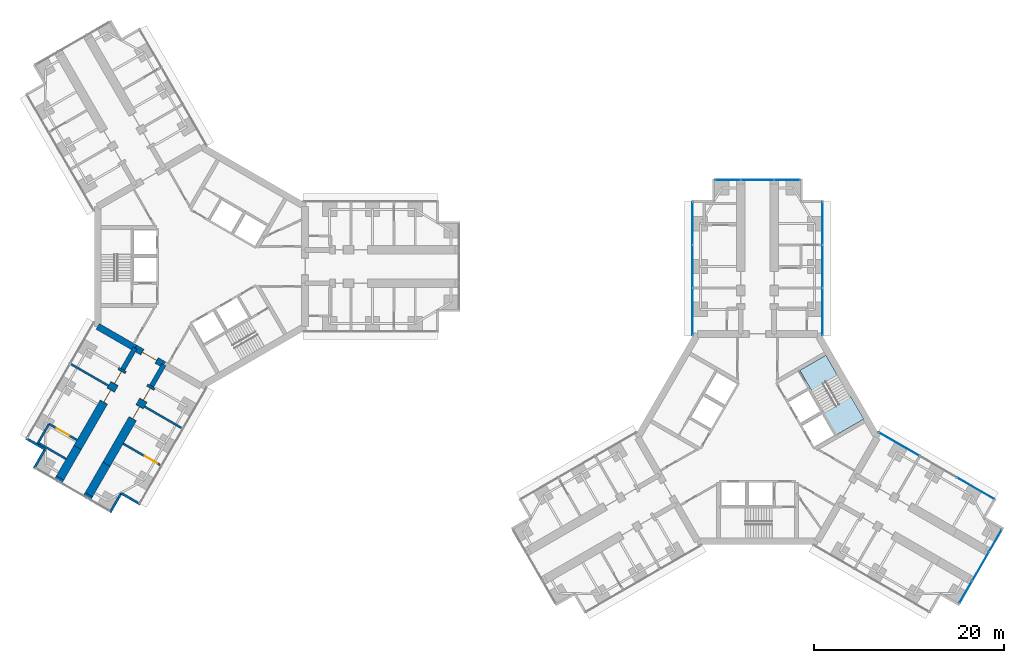
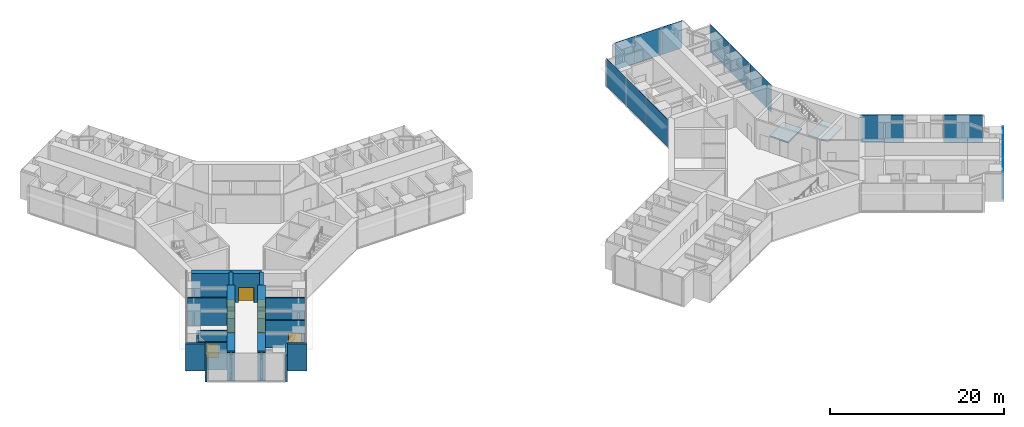
# One storey, part 15 of 22: 20 walls, 14 plates, 7 doors, 2 slabs, 7 openings, 6 elements without a shape of their own.
"""IFC4 building model written with IfcOpenShell, lengths in metres."""

from ifc_helpers import new_model, si_unit, direction, frame, frame_2d, origin, origin_2d, place, context, subcontext, project, spatial, polyline, rectangle, outline, extrude, material, layer, layer_set, type_object, element, fill, aggregate, save


model = new_model("IFC4")

# Units and contexts
model_context = context("Model", 3, precision=1e-05, world=origin(), true_north=direction((0.0, 1.0)))
body_context = subcontext(model_context, "Body", "Model", "MODEL_VIEW")
ifc_project = project(units=[si_unit("LENGTHUNIT", "METRE"), si_unit("AREAUNIT", "SQUARE_METRE"), si_unit("VOLUMEUNIT", "CUBIC_METRE"), si_unit("PLANEANGLEUNIT", "RADIAN"), si_unit("MASSUNIT", "GRAM", prefix="KILO")], contexts=[model_context])

# Site, building, storey
site_placement = place(None, origin())
site = spatial("IfcSite", under=ifc_project, at=site_placement, CompositionType="ELEMENT")
building_placement = place(site_placement, origin())
building = spatial("IfcBuilding", under=site, at=building_placement, Name="Upepo Twin Towers", CompositionType="ELEMENT")
storey_placement = place(building_placement, frame((0.0, 0.0, 40.5)))
storey = spatial("IfcBuildingStorey", under=building, at=storey_placement, Name="L09", CompositionType="ELEMENT", Elevation=40.5)

# Curtain wall, plates
ifc_material_1 = material(Name="Aluminium and fritted glass", Category="aluminium")
curtain_wall_type = type_object("IfcCurtainWallType", Name="Tower curtain wall TW1, fritted glass", PredefinedType="NOTDEFINED", material=ifc_material_1)
curtain_wall_1_placement = place(storey_placement, origin())
curtain_wall_1 = element("IfcCurtainWall", 1, at=curtain_wall_1_placement, inside=storey, type_object=curtain_wall_type, Name="T2 L09 wing A flank L curtain wall", PredefinedType="NOTDEFINED")
ifc_material_2 = material(Name="Ceramic-fritted laminated glass", Category="glass")
ifc_layer_1 = layer(ifc_material_2, 0.031982421875)
ifc_layer_set_1 = layer_set([ifc_layer_1], Name="Fritted glass panel, 20 per cent dot frit, 32 mm double glazed")
plate_type_1 = type_object("IfcPlateType", Name="Fritted glass panel, 20 per cent dot frit, 32 mm double glazed", PredefinedType="CURTAIN_PANEL", material=ifc_layer_set_1)
plate_1_placement = place(storey_placement, frame((51.64990234375, -4.76513671875, 0.14990234375), z_axis=(0.0, 0.0, 1.0), x_axis=(0.0, 1.0, 0.0)))
plate_1 = element("IfcPlate", 2, at=plate_1_placement, type_object=plate_type_1, Name="T2 L09 wing A flank L curtain wall panel 1", PredefinedType="CURTAIN_PANEL", context=body_context, shape_type="SweptSolid", body=[
    extrude(rectangle(XDim=4.96533203125, YDim=0.031982421875, at=origin_2d()), origin(), (0.0, 0.0, 1.0), 3.85009765625),
])
plate_2_placement = place(storey_placement, frame((51.64990234375, 0.0, 0.14990234375), z_axis=(0.0, 0.0, 1.0), x_axis=(0.0, 1.0, 0.0)))
plate_2 = element("IfcPlate", 3, at=plate_2_placement, type_object=plate_type_1, Name="T2 L09 wing A flank L curtain wall panel 2", PredefinedType="CURTAIN_PANEL", context=body_context, shape_type="SweptSolid", body=[
    extrude(rectangle(XDim=4.43505859375, YDim=0.031982421875, at=origin_2d()), origin(), (0.0, 0.0, 1.0), 3.85009765625),
])
plate_3_placement = place(storey_placement, frame((51.64990234375, 4.53369140625, 0.14990234375), z_axis=(0.0, 0.0, 1.0), x_axis=(0.0, 1.0, 0.0)))
plate_3 = element("IfcPlate", 4, at=plate_3_placement, type_object=plate_type_1, Name="T2 L09 wing A flank L curtain wall panel 3", PredefinedType="CURTAIN_PANEL", context=body_context, shape_type="SweptSolid", body=[
    extrude(rectangle(XDim=4.50244140625, YDim=0.031982421875, at=origin_2d()), origin(), (0.0, 0.0, 1.0), 3.85009765625),
])
aggregate(curtain_wall_1, [plate_1, plate_2, plate_3])

curtain_wall_2_placement = place(storey_placement, origin())
curtain_wall_2 = element("IfcCurtainWall", 5, at=curtain_wall_2_placement, inside=storey, type_object=curtain_wall_type, Name="T2 L09 wing A flank R curtain wall", PredefinedType="NOTDEFINED")
plate_4_placement = place(storey_placement, frame((65.35009765625, 4.53369140625, 0.14990234375), z_axis=(0.0, 0.0, 1.0), x_axis=(0.0, -1.0, 0.0)))
plate_4 = element("IfcPlate", 6, at=plate_4_placement, type_object=plate_type_1, Name="T2 L09 wing A flank R curtain wall panel 1", PredefinedType="CURTAIN_PANEL", context=body_context, shape_type="SweptSolid", body=[
    extrude(rectangle(XDim=4.50244140625, YDim=0.031982421875, at=origin_2d()), origin(), (0.0, 0.0, 1.0), 3.85009765625),
])
plate_5_placement = place(storey_placement, frame((65.35009765625, 0.0, 0.14990234375), z_axis=(0.0, 0.0, 1.0), x_axis=(0.0, -1.0, 0.0)))
plate_5 = element("IfcPlate", 7, at=plate_5_placement, type_object=plate_type_1, Name="T2 L09 wing A flank R curtain wall panel 2", PredefinedType="CURTAIN_PANEL", context=body_context, shape_type="SweptSolid", body=[
    extrude(rectangle(XDim=4.43505859375, YDim=0.031982421875, at=origin_2d()), origin(), (0.0, 0.0, 1.0), 3.85009765625),
])
plate_6_placement = place(storey_placement, frame((65.35009765625, -4.76513671875, 0.14990234375), z_axis=(0.0, 0.0, 1.0), x_axis=(0.0, -1.0, 0.0)))
plate_6 = element("IfcPlate", 8, at=plate_6_placement, type_object=plate_type_1, Name="T2 L09 wing A flank R curtain wall panel 3", PredefinedType="CURTAIN_PANEL", context=body_context, shape_type="SweptSolid", body=[
    extrude(rectangle(XDim=4.96533203125, YDim=0.031982421875, at=origin_2d()), origin(), (0.0, 0.0, 1.0), 3.85009765625),
])
aggregate(curtain_wall_2, [plate_4, plate_5, plate_6])

# Curtain wall, plate
curtain_wall_3_placement = place(storey_placement, origin())
curtain_wall_3 = element("IfcCurtainWall", 9, at=curtain_wall_3_placement, inside=storey, type_object=curtain_wall_type, Name="T2 L09 wing A nose curtain wall", PredefinedType="NOTDEFINED")
plate_7_placement = place(storey_placement, frame((58.5, 9.10009765625, 0.14990234375), z_axis=(0.0, 0.0, 1.0), x_axis=(-1.0, 0.0, 0.0)))
plate_7 = element("IfcPlate", 10, at=plate_7_placement, type_object=plate_type_1, Name="T2 L09 wing A nose curtain wall panel 2", PredefinedType="CURTAIN_PANEL", context=body_context, shape_type="SweptSolid", body=[
    extrude(rectangle(XDim=3.43505859375, YDim=0.031982421875, at=origin_2d()), origin(), (0.0, 0.0, 1.0), 3.85009765625),
])

# Curtain wall, plates
curtain_wall_4_placement = place(storey_placement, origin())
curtain_wall_4 = element("IfcCurtainWall", 11, at=curtain_wall_4_placement, inside=storey, type_object=curtain_wall_type, Name="T2 L09 wing C flank L curtain wall", PredefinedType="NOTDEFINED")
plate_8_placement = place(storey_placement, frame((73.38671875, -18.68505859375, 0.14990234375), z_axis=(0.0, 0.0, 1.0), x_axis=(0.866025389682, -0.500000024426, 0.0)))
plate_8 = element("IfcPlate", 12, at=plate_8_placement, type_object=plate_type_1, Name="T2 L09 wing C flank L curtain wall panel 1", PredefinedType="CURTAIN_PANEL", context=body_context, shape_type="SweptSolid", body=[
    extrude(rectangle(XDim=4.96533203125, YDim=0.031982421875, at=origin_2d()), origin(), (0.0, 0.0, 1.0), 3.85009765625),
])
plate_9_placement = place(storey_placement, frame((81.439697265625, -23.334716796875, 0.14990234375), z_axis=(0.0, 0.0, 1.0), x_axis=(0.866025389682, -0.500000024426, 0.0)))
plate_9 = element("IfcPlate", 13, at=plate_9_placement, type_object=plate_type_1, Name="T2 L09 wing C flank L curtain wall panel 3", PredefinedType="CURTAIN_PANEL", context=body_context, shape_type="SweptSolid", body=[
    extrude(rectangle(XDim=4.50244140625, YDim=0.031982421875, at=origin_2d()), origin(), (0.0, 0.0, 1.0), 3.85009765625),
])
aggregate(curtain_wall_4, [plate_8, plate_9])

# Curtain wall, plate
curtain_wall_5_placement = place(storey_placement, origin())
curtain_wall_5 = element("IfcCurtainWall", 14, at=curtain_wall_5_placement, inside=storey, type_object=curtain_wall_type, Name="T2 L09 wing C nose curtain wall", PredefinedType="NOTDEFINED")
plate_10_placement = place(storey_placement, frame((81.96923828125, -31.550048828125, 0.14990234375), z_axis=(0.0, 0.0, 1.0), x_axis=(0.500000030502, 0.866025386174, 0.0)))
plate_10 = element("IfcPlate", 15, at=plate_10_placement, type_object=plate_type_1, Name="T2 L09 wing C nose curtain wall panel 2", PredefinedType="CURTAIN_PANEL", context=body_context, shape_type="SweptSolid", body=[
    extrude(rectangle(XDim=3.43505859375, YDim=0.031982421875, at=origin_2d()), origin(), (0.0, 0.0, 1.0), 3.85009765625),
])

# Plate
ifc_material_3 = material(Name="Clear laminated glass in opening sash", Category="glass")
ifc_layer_2 = layer(ifc_material_3, 0.031982421875)
ifc_layer_set_2 = layer_set([ifc_layer_2], Name="Operable glass panel, 32 mm double glazed")
plate_type_2 = type_object("IfcPlateType", Name="Operable glass panel, 32 mm double glazed", PredefinedType="CURTAIN_PANEL", material=ifc_layer_set_2)
plate_11_placement = place(storey_placement, frame((61.608642578125, 9.10009765625, 0.14990234375), z_axis=(0.0, 0.0, 1.0), x_axis=(-1.0, 0.0, 0.0)))
plate_11 = element("IfcPlate", 16, at=plate_11_placement, type_object=plate_type_2, Name="T2 L09 wing A nose curtain wall panel 1", PredefinedType="CURTAIN_PANEL", context=body_context, shape_type="SweptSolid", body=[
    extrude(rectangle(XDim=2.652587890625, YDim=0.031982421875, at=origin_2d()), origin(), (0.0, 0.0, 1.0), 3.85009765625),
])

plate_12_placement = place(storey_placement, frame((55.391357421875, 9.10009765625, 0.14990234375), z_axis=(0.0, 0.0, 1.0), x_axis=(-1.0, 0.0, 0.0)))
plate_12 = element("IfcPlate", 17, at=plate_12_placement, type_object=plate_type_2, Name="T2 L09 wing A nose curtain wall panel 3", PredefinedType="CURTAIN_PANEL", context=body_context, shape_type="SweptSolid", body=[
    extrude(rectangle(XDim=2.652587890625, YDim=0.031982421875, at=origin_2d()), origin(), (0.0, 0.0, 1.0), 3.85009765625),
])

aggregate(curtain_wall_3, [plate_11, plate_7, plate_12])

plate_13_placement = place(storey_placement, frame((80.414794921875, -34.2421875, 0.14990234375), z_axis=(0.0, 0.0, 1.0), x_axis=(0.500000030502, 0.866025386174, 0.0)))
plate_13 = element("IfcPlate", 18, at=plate_13_placement, type_object=plate_type_2, Name="T2 L09 wing C nose curtain wall panel 1", PredefinedType="CURTAIN_PANEL", context=body_context, shape_type="SweptSolid", body=[
    extrude(rectangle(XDim=2.652587890625, YDim=0.031982421875, at=origin_2d()), origin(), (0.0, 0.0, 1.0), 3.85009765625),
])

plate_14_placement = place(storey_placement, frame((83.523681640625, -28.857666015625, 0.14990234375), z_axis=(0.0, 0.0, 1.0), x_axis=(0.500000030502, 0.866025386174, 0.0)))
plate_14 = element("IfcPlate", 19, at=plate_14_placement, type_object=plate_type_2, Name="T2 L09 wing C nose curtain wall panel 3", PredefinedType="CURTAIN_PANEL", context=body_context, shape_type="SweptSolid", body=[
    extrude(rectangle(XDim=2.652587890625, YDim=0.031982421875, at=origin_2d()), origin(), (0.0, 0.0, 1.0), 3.85009765625),
])

aggregate(curtain_wall_5, [plate_13, plate_10, plate_14])

# Stair, slabs
ifc_material_4 = material(Name="Concrete C40/50", Category="concrete")
stair_type = type_object("IfcStairType", Name="Core stair, two flights", PredefinedType="HALF_TURN_STAIR", material=ifc_material_4)
stair_placement = place(storey_placement, origin())
stair = element("IfcStair", 20, at=stair_placement, inside=storey, type_object=stair_type, Name="T2 stair S2 L09", PredefinedType="HALF_TURN_STAIR")
ifc_material_5 = material(Name="Concrete C40/50", Category="concrete")
ifc_layer_3 = layer(ifc_material_5, 0.199951171875)
ifc_layer_set_3 = layer_set([ifc_layer_3], Name="Concrete C40/50")
slab_type = type_object("IfcSlabType", Name="Stair landing 200 RC", PredefinedType="LANDING", material=ifc_layer_set_3)
slab_1_placement = place(storey_placement, frame((0.0, 0.0, -0.199951171875)))
slab_1 = element("IfcSlab", 21, at=slab_1_placement, type_object=slab_type, Name="Stair S2 landing 1", PredefinedType="LANDING", context=body_context, shape_type="SweptSolid", body=[
    extrude(outline(polyline([(64.198486328125, -13.0703125), (66.933837890625, -11.490966796875), (65.69384765625, -9.34326171875), (62.95849609375, -10.922607421875), (64.198486328125, -13.0703125)])), origin(), (0.0, 0.0, 1.0), 0.199951171875),
])
slab_2_placement = place(storey_placement, frame((0.0, 0.0, 1.800048828125)))
slab_2 = element("IfcSlab", 22, at=slab_2_placement, type_object=slab_type, Name="Stair S2 landing 2", PredefinedType="LANDING", context=body_context, shape_type="SweptSolid", body=[
    extrude(outline(polyline([(66.77197265625, -17.7275390625), (69.680419921875, -16.04833984375), (68.3203125, -13.692626953125), (65.411865234375, -15.371826171875), (66.77197265625, -17.7275390625)])), origin(), (0.0, 0.0, 1.0), 0.199951171875),
])
aggregate(stair, [slab_1, slab_2])

# Wall
ifc_material_6 = material(Name="Concrete blockwork, plastered both faces", Category="masonry")
ifc_layer_4 = layer(ifc_material_6, 0.215087890625)
ifc_layer_set_4 = layer_set([ifc_layer_4], Name="Blockwork partition 215")
wall_type_1 = type_object("IfcWallType", Name="Blockwork partition 215", PredefinedType="PARTITIONING", material=ifc_layer_set_4)
wall_1_placement = place(storey_placement, frame((-5.9697265625, -14.739990234375, 0.0), z_axis=(0.0, 0.0, 1.0), x_axis=(0.866035472144, -0.499982560684, 0.0)))
element("IfcWall", 23, at=wall_1_placement, inside=storey, type_object=wall_type_1, Name="T1 partition CL at 15.75", PredefinedType="PARTITIONING", context=body_context, shape_type="SweptSolid", body=[
    extrude(rectangle(XDim=4.550048828125, YDim=0.215087890625, at=frame_2d((2.27490234375, 0.0))), origin(), (0.0, 0.0, 1.0), 3.800048828125),
])

# Wall, opening, door
wall_2_placement = place(storey_placement, frame((-8.2197265625, -18.636962890625, 0.0), z_axis=(0.0, 0.0, 1.0), x_axis=(0.866012237902, -0.500022803284, 0.0)))
wall_2 = element("IfcWall", 24, at=wall_2_placement, inside=storey, type_object=wall_type_1, Name="T1 partition CL at 20.25", PredefinedType="PARTITIONING", context=body_context, shape_type="SweptSolid", body=[
    extrude(rectangle(XDim=4.550048828125, YDim=0.215087890625, at=frame_2d((2.27490234375, 0.0))), origin(), (0.0, 0.0, 1.0), 3.800048828125),
])
opening_1_placement = place(wall_2_placement, frame((2.64990234375, 0.0, 0.0)))
opening_1 = element("IfcOpeningElement", 25, at=opening_1_placement, cuts=wall_2, Name="Opening D13", PredefinedType="OPENING", context=body_context, shape_type="SweptSolid", body=[
    extrude(rectangle(XDim=1.5, YDim=2.10009765625, at=frame_2d((0.75, 1.050048828125))), frame((0.0, 0.117431640625, 0.0), z_axis=(0.0, -1.0, 0.0), x_axis=(1.0, 0.0, 0.0)), (0.0, 0.0, 1.0), 0.235107421875),
])
ifc_material_7 = material(Name="Timber doorset", Category="wood")
door_type_1 = type_object("IfcDoorType", Name="Double door 1500 FD30", OperationType="DOUBLE_DOOR_SINGLE_SWING", PredefinedType="DOOR", material=ifc_material_7)
door_1_placement = place(opening_1_placement, origin())
door_1 = element("IfcDoor", 26, at=door_1_placement, inside=storey, type_object=door_type_1, Name="T1 L09 connecting door", OperationType="DOUBLE_DOOR_SINGLE_SWING", OverallHeight=2.10009765625, OverallWidth=1.5, PredefinedType="DOOR", context=body_context, shape_type="SweptSolid", body=[
    extrude(rectangle(XDim=1.5, YDim=2.10009765625, at=frame_2d((0.75, 1.050048828125))), frame((0.0, 0.02490234375, 0.0), z_axis=(0.0, -1.0, 0.0), x_axis=(1.0, 0.0, 0.0)), (0.0, 0.0, 1.0), 0.050048828125),
])
fill(opening_1, door_1)

# Walls
wall_3_placement = place(storey_placement, frame((-9.7802734375, -12.539794921875, 0.0), z_axis=(0.0, 0.0, 1.0), x_axis=(-0.866035472144, 0.499982560684, 0.0)))
element("IfcWall", 27, at=wall_3_placement, inside=storey, type_object=wall_type_1, Name="T1 partition CR at 15.75", PredefinedType="PARTITIONING", context=body_context, shape_type="SweptSolid", body=[
    extrude(rectangle(XDim=4.550048828125, YDim=0.215087890625, at=frame_2d((2.27490234375, 0.0))), origin(), (0.0, 0.0, 1.0), 3.800048828125),
])
wall_4_placement = place(storey_placement, frame((-16.024658203125, -16.5556640625, 0.0), z_axis=(0.0, 0.0, 1.0), x_axis=(-0.500077600433, -0.865980596518, 0.0)))
element("IfcWall", 28, at=wall_4_placement, inside=storey, type_object=wall_type_1, Name="T1 inner room partition CR at 22.35", PredefinedType="PARTITIONING", context=body_context, shape_type="SweptSolid", body=[
    extrude(rectangle(XDim=2.39990234375, YDim=0.215087890625, at=frame_2d((1.199951171875, 0.0))), origin(), (0.0, 0.0, 1.0), 3.800048828125),
])

# Wall, opening, door
wall_5_placement = place(storey_placement, frame((-13.080322265625, -18.255615234375, 0.0), z_axis=(0.0, 0.0, 1.0), x_axis=(-0.866020560687, 0.500008388397, 0.0)))
wall_5 = element("IfcWall", 29, at=wall_5_placement, inside=storey, type_object=wall_type_1, Name="T1 inner room partition CR end at 22.35", PredefinedType="PARTITIONING", context=body_context, shape_type="SweptSolid", body=[
    extrude(rectangle(XDim=3.39990234375, YDim=0.215087890625, at=frame_2d((1.699951171875, 0.0))), origin(), (0.0, 0.0, 1.0), 3.800048828125),
])
opening_2_placement = place(wall_5_placement, frame((0.949951171875, 0.0, 0.0)))
opening_2 = element("IfcOpeningElement", 30, at=opening_2_placement, cuts=wall_5, Name="Opening D13", PredefinedType="OPENING", context=body_context, shape_type="SweptSolid", body=[
    extrude(rectangle(XDim=1.5, YDim=2.10009765625, at=frame_2d((0.75, 1.050048828125))), frame((0.0, 0.117431640625, 0.0), z_axis=(0.0, -1.0, 0.0), x_axis=(1.0, 0.0, 0.0)), (0.0, 0.0, 1.0), 0.235107421875),
])
door_2_placement = place(opening_2_placement, origin())
door_2 = element("IfcDoor", 31, at=door_2_placement, inside=storey, type_object=door_type_1, Name="T1 L09 inner room door", OperationType="DOUBLE_DOOR_SINGLE_SWING", OverallHeight=2.10009765625, OverallWidth=1.5, PredefinedType="DOOR", context=body_context, shape_type="SweptSolid", body=[
    extrude(rectangle(XDim=1.5, YDim=2.10009765625, at=frame_2d((0.75, 1.050048828125))), frame((0.0, 0.02490234375, 0.0), z_axis=(0.0, -1.0, 0.0), x_axis=(1.0, 0.0, 0.0)), (0.0, 0.0, 1.0), 0.050048828125),
])
fill(opening_2, door_2)

# Walls
wall_6_placement = place(storey_placement, frame((-14.2265625, -20.240966796875, 0.0), z_axis=(0.0, 0.0, 1.0), x_axis=(-0.866020560687, 0.500008388397, 0.0)))
element("IfcWall", 32, at=wall_6_placement, inside=storey, type_object=wall_type_1, Name="T1 inner room partition CR end at 24.75", PredefinedType="PARTITIONING", context=body_context, shape_type="SweptSolid", body=[
    extrude(rectangle(XDim=3.39990234375, YDim=0.215087890625, at=frame_2d((1.699951171875, 0.0))), origin(), (0.0, 0.0, 1.0), 3.800048828125),
])
ifc_material_8 = material(Name="Dense concrete blockwork", Category="masonry")
ifc_layer_5 = layer(ifc_material_8, 0.89990234375)
ifc_layer_set_5 = layer_set([ifc_layer_5], Name="Buttress closer 900, blockwork with fire-stopping to the curtain wall")
wall_type_2 = type_object("IfcWallType", Name="Buttress closer 900, blockwork with fire-stopping to the curtain wall", PredefinedType="PARTITIONING", material=ifc_layer_set_5)
for number, where, z_axis, x_axis, name in (
    (33, (-11.83447265625, -23.997802734375, 0.0), (0.0, 0.0, 1.0), (-0.499949632511, -0.866054481515, 0.0), "T1 L09 wing C buttress closer L"),
    (34, (-14.865478515625, -22.247802734375, 0.0), (0.0, 0.0, 1.0), (-0.499949632511, -0.866054481515, 0.0), "T1 L09 wing C buttress closer R"),
):
    element("IfcWall", number, at=place(storey_placement, frame(where, z_axis=z_axis, x_axis=x_axis)), inside=storey, type_object=wall_type_2, Name=name, PredefinedType="PARTITIONING", context=body_context, shape_type="SweptSolid", body=[
        extrude(rectangle(XDim=0.31005859375, YDim=0.89990234375, at=frame_2d((0.155029296875, 0.0))), origin(), (0.0, 0.0, 1.0), 3.800048828125),
    ])
ifc_material_9 = material(Name="Concrete C60/75", Category="concrete")
ifc_layer_6 = layer(ifc_material_9, 0.5)
ifc_layer_set_6 = layer_set([ifc_layer_6], Name="Concrete C60/75")
wall_type_3 = type_object("IfcWallType", Name="Buttress wall 500 RC", PredefinedType="SHEAR", material=ifc_layer_set_6)
for number, where, z_axis, x_axis, name in (
    (35, (-3.938720703125, -10.32177734375, 0.0), (0.0, 0.0, 1.0), (-0.499918158782, -0.866072649678, 0.0), "T1 wing C buttress wall L"),
    (36, (-6.9697265625, -8.57177734375, 0.0), (0.0, 0.0, 1.0), (-0.499988811324, -0.866031863473, 0.0), "T1 wing C buttress wall R"),
):
    element("IfcWall", number, at=place(storey_placement, frame(where, z_axis=z_axis, x_axis=x_axis)), inside=storey, type_object=wall_type_3, Name=name, PredefinedType="SHEAR", context=body_context, shape_type="SweptSolid", body=[
        extrude(rectangle(XDim=2.591796875, YDim=0.5, at=frame_2d((1.2958984375, 0.0))), origin(), (0.0, 0.0, 1.0), 4.0),
    ])

# Wall, openings, doors
ifc_material_10 = material(Name="Concrete C60/75", Category="concrete")
ifc_layer_7 = layer(ifc_material_10, 0.89990234375)
ifc_layer_set_7 = layer_set([ifc_layer_7], Name="Concrete C60/75")
wall_type_4 = type_object("IfcWallType", Name="Buttress wall 900 RC", PredefinedType="SHEAR", material=ifc_layer_set_7)
wall_7_placement = place(storey_placement, frame((-5.234375, -12.56640625, 0.0), z_axis=(0.0, 0.0, 1.0), x_axis=(-0.499997557548, -0.86602681393, 0.0)))
wall_7 = element("IfcWall", 37, at=wall_7_placement, inside=storey, type_object=wall_type_4, Name="T1 wing C buttress wall L part 2", PredefinedType="SHEAR", context=body_context, shape_type="SweptSolid", body=[
    extrude(rectangle(XDim=9.5, YDim=0.89990234375, at=frame_2d((4.75, 0.0))), origin(), (0.0, 0.0, 1.0), 4.0),
])
opening_3_placement = place(wall_7_placement, frame((0.25, 0.0, 0.0)))
opening_3 = element("IfcOpeningElement", 38, at=opening_3_placement, cuts=wall_7, Name="Opening D13", PredefinedType="OPENING", context=body_context, shape_type="SweptSolid", body=[
    extrude(rectangle(XDim=1.5, YDim=2.10009765625, at=frame_2d((0.75, 1.050048828125))), frame((0.0, 0.4599609375, 0.0), z_axis=(0.0, -1.0, 0.0), x_axis=(1.0, 0.0, 0.0)), (0.0, 0.0, 1.0), 0.919921875),
])
opening_4_placement = place(wall_7_placement, frame((2.5, 0.0, 0.0)))
opening_4 = element("IfcOpeningElement", 39, at=opening_4_placement, cuts=wall_7, Name="Opening D13", PredefinedType="OPENING", context=body_context, shape_type="SweptSolid", body=[
    extrude(rectangle(XDim=1.5, YDim=2.10009765625, at=frame_2d((0.75, 1.050048828125))), frame((0.0, 0.4599609375, 0.0), z_axis=(0.0, -1.0, 0.0), x_axis=(1.0, 0.0, 0.0)), (0.0, 0.0, 1.0), 0.919921875),
])
door_3_placement = place(opening_3_placement, origin())
door_3 = element("IfcDoor", 40, at=door_3_placement, inside=storey, type_object=door_type_1, Name="T1 L09 laboratory prep room door", OperationType="DOUBLE_DOOR_SINGLE_SWING", OverallHeight=2.10009765625, OverallWidth=1.5, PredefinedType="DOOR", context=body_context, shape_type="SweptSolid", body=[
    extrude(rectangle(XDim=1.42, YDim=2.06009765625, at=frame_2d((0.75, 1.030029296875))), frame((0.0, 0.02490234375, 0.0), z_axis=(0.0, -1.0, 0.0), x_axis=(1.0, 0.0, 0.0)), (0.0, 0.0, 1.0), 0.050048828125),
    extrude(rectangle(XDim=0.04, YDim=2.10009765625, at=frame_2d((0.02001953125, 1.050048828125))), frame((0.0, 0.44970703125, 0.0), z_axis=(0.0, -1.0, 0.0), x_axis=(1.0, 0.0, 0.0)), (0.0, 0.0, 1.0), 0.8994140625),
    extrude(rectangle(XDim=0.04, YDim=2.10009765625, at=frame_2d((1.47998046875, 1.050048828125))), frame((0.0, 0.44970703125, 0.0), z_axis=(0.0, -1.0, 0.0), x_axis=(1.0, 0.0, 0.0)), (0.0, 0.0, 1.0), 0.8994140625),
    extrude(rectangle(XDim=1.42, YDim=0.04, at=frame_2d((0.75, 2.080078125))), frame((0.0, 0.44970703125, 0.0), z_axis=(0.0, -1.0, 0.0), x_axis=(1.0, 0.0, 0.0)), (0.0, 0.0, 1.0), 0.8994140625),
])
fill(opening_3, door_3)
door_4_placement = place(opening_4_placement, origin())
door_4 = element("IfcDoor", 41, at=door_4_placement, inside=storey, type_object=door_type_1, Name="T1 L09 research laboratory door", OperationType="DOUBLE_DOOR_SINGLE_SWING", OverallHeight=2.10009765625, OverallWidth=1.5, PredefinedType="DOOR", context=body_context, shape_type="SweptSolid", body=[
    extrude(rectangle(XDim=1.42, YDim=2.06009765625, at=frame_2d((0.75, 1.030029296875))), frame((0.0, 0.02490234375, 0.0), z_axis=(0.0, -1.0, 0.0), x_axis=(1.0, 0.0, 0.0)), (0.0, 0.0, 1.0), 0.050048828125),
    extrude(rectangle(XDim=0.04, YDim=2.10009765625, at=frame_2d((0.02001953125, 1.050048828125))), frame((0.0, 0.44970703125, 0.0), z_axis=(0.0, -1.0, 0.0), x_axis=(1.0, 0.0, 0.0)), (0.0, 0.0, 1.0), 0.8994140625),
    extrude(rectangle(XDim=0.04, YDim=2.10009765625, at=frame_2d((1.47998046875, 1.050048828125))), frame((0.0, 0.44970703125, 0.0), z_axis=(0.0, -1.0, 0.0), x_axis=(1.0, 0.0, 0.0)), (0.0, 0.0, 1.0), 0.8994140625),
    extrude(rectangle(XDim=1.42, YDim=0.04, at=frame_2d((0.75, 2.080078125))), frame((0.0, 0.44970703125, 0.0), z_axis=(0.0, -1.0, 0.0), x_axis=(1.0, 0.0, 0.0)), (0.0, 0.0, 1.0), 0.8994140625),
])
fill(opening_4, door_4)

# Wall
wall_8_placement = place(storey_placement, frame((-9.984375, -20.793701171875, 0.0), z_axis=(0.0, 0.0, 1.0), x_axis=(-0.500042316284, -0.866000971088, 0.0)))
element("IfcWall", 42, at=wall_8_placement, inside=storey, type_object=wall_type_4, Name="T1 wing C buttress wall L part 3", PredefinedType="SHEAR", context=body_context, shape_type="SweptSolid", body=[
    extrude(rectangle(XDim=3.699951171875, YDim=0.89990234375, at=frame_2d((1.85009765625, 0.0))), origin(), (0.0, 0.0, 1.0), 4.0),
])

# Wall, openings, doors
wall_9_placement = place(storey_placement, frame((-8.265625, -10.81640625, 0.0), z_axis=(0.0, 0.0, 1.0), x_axis=(-0.499997557548, -0.86602681393, 0.0)))
wall_9 = element("IfcWall", 43, at=wall_9_placement, inside=storey, type_object=wall_type_4, Name="T1 wing C buttress wall R part 2", PredefinedType="SHEAR", context=body_context, shape_type="SweptSolid", body=[
    extrude(rectangle(XDim=9.5, YDim=0.89990234375, at=frame_2d((4.75, 0.0))), origin(), (0.0, 0.0, 1.0), 4.0),
])
opening_5_placement = place(wall_9_placement, frame((0.25, 0.0, 0.0)))
opening_5 = element("IfcOpeningElement", 44, at=opening_5_placement, cuts=wall_9, Name="Opening D13", PredefinedType="OPENING", context=body_context, shape_type="SweptSolid", body=[
    extrude(rectangle(XDim=1.5, YDim=2.10009765625, at=frame_2d((0.75, 1.050048828125))), frame((0.0, 0.4599609375, 0.0), z_axis=(0.0, -1.0, 0.0), x_axis=(1.0, 0.0, 0.0)), (0.0, 0.0, 1.0), 0.919921875),
])
opening_6_placement = place(wall_9_placement, frame((2.5, 0.0, 0.0)))
opening_6 = element("IfcOpeningElement", 45, at=opening_6_placement, cuts=wall_9, Name="Opening D13", PredefinedType="OPENING", context=body_context, shape_type="SweptSolid", body=[
    extrude(rectangle(XDim=1.5, YDim=2.10009765625, at=frame_2d((0.75, 1.050048828125))), frame((0.0, 0.4599609375, 0.0), z_axis=(0.0, -1.0, 0.0), x_axis=(1.0, 0.0, 0.0)), (0.0, 0.0, 1.0), 0.919921875),
])
door_5_placement = place(opening_5_placement, origin())
door_5 = element("IfcDoor", 46, at=door_5_placement, inside=storey, type_object=door_type_1, Name="T1 L09 write-up room door", OperationType="DOUBLE_DOOR_SINGLE_SWING", OverallHeight=2.10009765625, OverallWidth=1.5, PredefinedType="DOOR", context=body_context, shape_type="SweptSolid", body=[
    extrude(rectangle(XDim=1.42, YDim=2.06009765625, at=frame_2d((0.75, 1.030029296875))), frame((0.0, 0.02490234375, 0.0), z_axis=(0.0, -1.0, 0.0), x_axis=(1.0, 0.0, 0.0)), (0.0, 0.0, 1.0), 0.050048828125),
    extrude(rectangle(XDim=0.04, YDim=2.10009765625, at=frame_2d((0.02001953125, 1.050048828125))), frame((0.0, 0.44970703125, 0.0), z_axis=(0.0, -1.0, 0.0), x_axis=(1.0, 0.0, 0.0)), (0.0, 0.0, 1.0), 0.8994140625),
    extrude(rectangle(XDim=0.04, YDim=2.10009765625, at=frame_2d((1.47998046875, 1.050048828125))), frame((0.0, 0.44970703125, 0.0), z_axis=(0.0, -1.0, 0.0), x_axis=(1.0, 0.0, 0.0)), (0.0, 0.0, 1.0), 0.8994140625),
    extrude(rectangle(XDim=1.42, YDim=0.04, at=frame_2d((0.75, 2.080078125))), frame((0.0, 0.44970703125, 0.0), z_axis=(0.0, -1.0, 0.0), x_axis=(1.0, 0.0, 0.0)), (0.0, 0.0, 1.0), 0.8994140625),
])
fill(opening_5, door_5)
door_6_placement = place(opening_6_placement, origin())
door_6 = element("IfcDoor", 47, at=door_6_placement, inside=storey, type_object=door_type_1, Name="T1 L09 teaching laboratory door", OperationType="DOUBLE_DOOR_SINGLE_SWING", OverallHeight=2.10009765625, OverallWidth=1.5, PredefinedType="DOOR", context=body_context, shape_type="SweptSolid", body=[
    extrude(rectangle(XDim=1.42, YDim=2.06009765625, at=frame_2d((0.75, 1.030029296875))), frame((0.0, 0.02490234375, 0.0), z_axis=(0.0, -1.0, 0.0), x_axis=(1.0, 0.0, 0.0)), (0.0, 0.0, 1.0), 0.050048828125),
    extrude(rectangle(XDim=0.04, YDim=2.10009765625, at=frame_2d((0.02001953125, 1.050048828125))), frame((0.0, 0.44970703125, 0.0), z_axis=(0.0, -1.0, 0.0), x_axis=(1.0, 0.0, 0.0)), (0.0, 0.0, 1.0), 0.8994140625),
    extrude(rectangle(XDim=0.04, YDim=2.10009765625, at=frame_2d((1.47998046875, 1.050048828125))), frame((0.0, 0.44970703125, 0.0), z_axis=(0.0, -1.0, 0.0), x_axis=(1.0, 0.0, 0.0)), (0.0, 0.0, 1.0), 0.8994140625),
    extrude(rectangle(XDim=1.42, YDim=0.04, at=frame_2d((0.75, 2.080078125))), frame((0.0, 0.44970703125, 0.0), z_axis=(0.0, -1.0, 0.0), x_axis=(1.0, 0.0, 0.0)), (0.0, 0.0, 1.0), 0.8994140625),
])
fill(opening_6, door_6)

# Walls
wall_10_placement = place(storey_placement, frame((-13.015625, -19.043701171875, 0.0), z_axis=(0.0, 0.0, 1.0), x_axis=(-0.499992827086, -0.866029545028, 0.0)))
element("IfcWall", 48, at=wall_10_placement, inside=storey, type_object=wall_type_4, Name="T1 wing C buttress wall R part 3", PredefinedType="SHEAR", context=body_context, shape_type="SweptSolid", body=[
    extrude(rectangle(XDim=3.69970703125, YDim=0.89990234375, at=frame_2d((1.849853515625, 0.0))), origin(), (0.0, 0.0, 1.0), 4.0),
])
ifc_material_11 = material(Name="Concrete C60/75", Category="concrete")
ifc_layer_8 = layer(ifc_material_11, 0.699951171875)
ifc_layer_set_8 = layer_set([ifc_layer_8], Name="Concrete C60/75")
wall_type_5 = type_object("IfcWallType", Name="Core wall 700 RC", PredefinedType="SHEAR", material=ifc_layer_set_8)
wall_11_placement = place(storey_placement, frame((-10.908447265625, -6.2978515625, 0.0), z_axis=(0.0, 0.0, 1.0), x_axis=(0.866034513004, -0.499984222037, 0.0)))
element("IfcWall", 49, at=wall_11_placement, inside=storey, type_object=wall_type_5, Name="T1 core wall 240 R", PredefinedType="SHEAR", context=body_context, shape_type="SweptSolid", body=[
    extrude(rectangle(XDim=4.548095703125, YDim=0.699951171875, at=frame_2d((2.27392578125, 0.0))), origin(), (0.0, 0.0, 1.0), 4.0),
])

# Wall, opening, door
wall_12_placement = place(storey_placement, frame((-6.9697265625, -8.57177734375, 0.0), z_axis=(0.0, 0.0, 1.0), x_axis=(0.866019471182, -0.500010275428, 0.0)))
wall_12 = element("IfcWall", 50, at=wall_12_placement, inside=storey, type_object=wall_type_5, Name="T1 core wall 240", PredefinedType="SHEAR", context=body_context, shape_type="SweptSolid", body=[
    extrude(rectangle(XDim=3.5, YDim=0.699951171875, at=frame_2d((1.75, 0.0))), origin(), (0.0, 0.0, 1.0), 4.0),
])
opening_7_placement = place(wall_12_placement, frame((0.85009765625, 0.0, 0.0)))
opening_7 = element("IfcOpeningElement", 51, at=opening_7_placement, cuts=wall_12, Name="Opening D2", PredefinedType="OPENING", context=body_context, shape_type="SweptSolid", body=[
    extrude(rectangle(XDim=1.800048828125, YDim=2.10009765625, at=frame_2d((0.89990234375, 1.050048828125))), frame((0.0, 0.35986328125, 0.0), z_axis=(0.0, -1.0, 0.0), x_axis=(1.0, 0.0, 0.0)), (0.0, 0.0, 1.0), 0.719970703125),
])
ifc_material_12 = material(Name="Timber doorset", Category="wood")
door_type_2 = type_object("IfcDoorType", Name="Corridor double door 1800 FD60", OperationType="DOUBLE_DOOR_DOUBLE_SWING", PredefinedType="DOOR", material=ifc_material_12)
door_7_placement = place(opening_7_placement, origin())
door_7 = element("IfcDoor", 52, at=door_7_placement, inside=storey, type_object=door_type_2, Name="T1 L09 wing C corridor door", OperationType="DOUBLE_DOOR_DOUBLE_SWING", OverallHeight=2.10009765625, OverallWidth=1.800048828125, PredefinedType="DOOR", context=body_context, shape_type="SweptSolid", body=[
    extrude(rectangle(XDim=1.720048828125, YDim=2.06009765625, at=frame_2d((0.89990234375, 1.030029296875))), frame((0.0, 0.02490234375, 0.0), z_axis=(0.0, -1.0, 0.0), x_axis=(1.0, 0.0, 0.0)), (0.0, 0.0, 1.0), 0.050048828125),
    extrude(rectangle(XDim=0.04, YDim=2.10009765625, at=frame_2d((0.02001953125, 1.050048828125))), frame((0.0, 0.349609375, 0.0), z_axis=(0.0, -1.0, 0.0), x_axis=(1.0, 0.0, 0.0)), (0.0, 0.0, 1.0), 0.699462890625),
    extrude(rectangle(XDim=0.04, YDim=2.10009765625, at=frame_2d((1.780029296875, 1.050048828125))), frame((0.0, 0.349609375, 0.0), z_axis=(0.0, -1.0, 0.0), x_axis=(1.0, 0.0, 0.0)), (0.0, 0.0, 1.0), 0.699462890625),
    extrude(rectangle(XDim=1.720048828125, YDim=0.04, at=frame_2d((0.89990234375, 2.080078125))), frame((0.0, 0.349609375, 0.0), z_axis=(0.0, -1.0, 0.0), x_axis=(1.0, 0.0, 0.0)), (0.0, 0.0, 1.0), 0.699462890625),
])
fill(opening_7, door_7)

# Walls
ifc_material_13 = material(Name="Blockwork with anodised aluminium cladding", Category="masonry")
ifc_layer_9 = layer(ifc_material_13, 0.25)
ifc_layer_set_9 = layer_set([ifc_layer_9], Name="Notch cladding wall 250, pale metal")
wall_type_6 = type_object("IfcWallType", Name="Notch cladding wall 250, pale metal", PredefinedType="STANDARD", material=ifc_layer_set_9)
for number, where, z_axis, x_axis, name in (
    (53, (-6.418701171875, -25.017333984375, 0.0), (0.0, 0.0, 1.0), (-0.866043940782, 0.499967891604, 0.0), "T1 L09 wing C notch wall L1"),
    (54, (-8.43212890625, -23.85498046875, 0.0), (0.0, 0.0, 1.0), (-0.500046648681, -0.865998469481, 0.0), "T1 L09 wing C notch wall L2"),
    (55, (-18.456298828125, -18.0673828125, 0.0), (0.0, 0.0, 1.0), (0.865998469481, -0.500046648681, 0.0), "T1 L09 wing C notch wall R1"),
    (56, (-16.44287109375, -19.22998046875, 0.0), (0.0, 0.0, 1.0), (-0.500046648681, -0.865998469481, 0.0), "T1 L09 wing C notch wall R2"),
):
    element("IfcWall", number, at=place(storey_placement, frame(where, z_axis=z_axis, x_axis=x_axis)), inside=storey, type_object=wall_type_6, Name=name, PredefinedType="STANDARD", context=body_context, shape_type="SweptSolid", body=[
        extrude(rectangle(XDim=2.324951171875, YDim=0.25, at=frame_2d((1.16259765625, 0.0))), origin(), (0.0, 0.0, 1.0), 3.800048828125),
    ])

save(model, "model.ifc")
